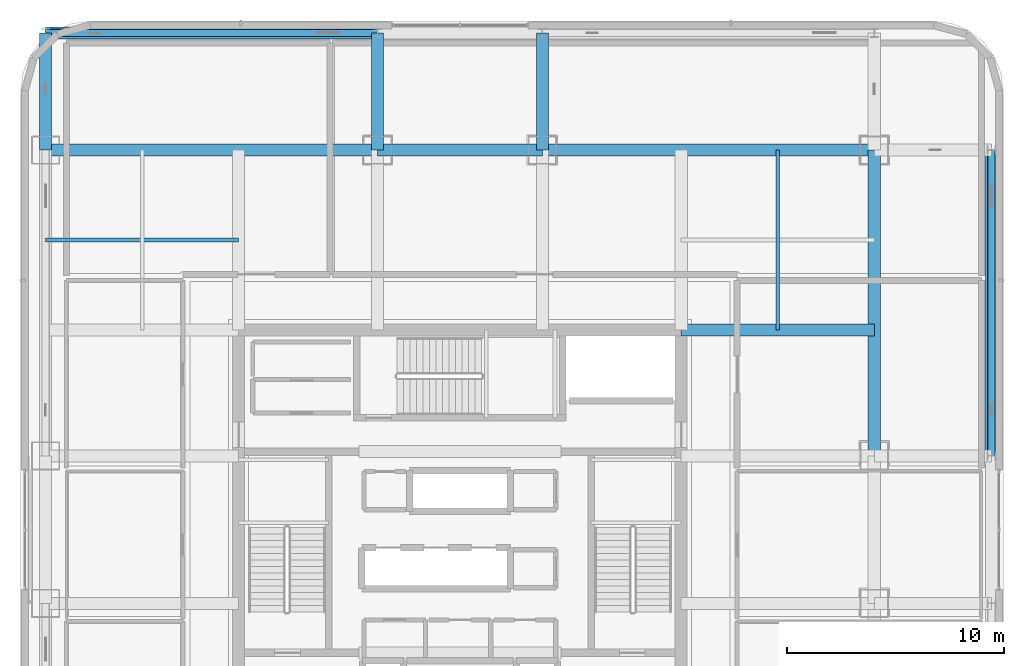
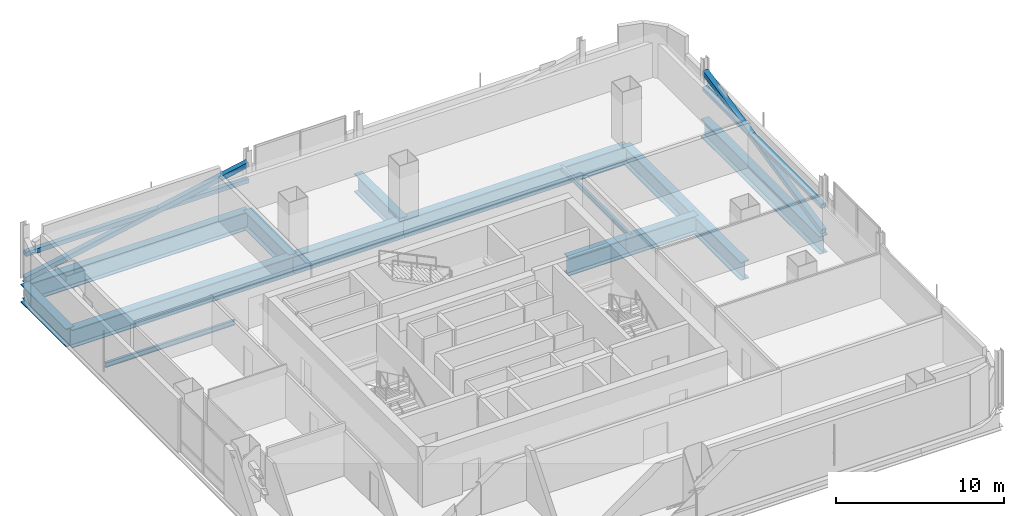
# One storey, part 10 of 30: 12 beams, 4 members.
"""IFC4 building model written with IfcOpenShell, lengths in metres."""

from ifc_helpers import new_model, si_unit, direction, frame, origin, origin_2d, place, context, subcontext, project, spatial, hollow_rectangle, i_section, extrude, material, material_profile, profile_set, type_object, element, save


model = new_model("IFC4")

# Units and contexts
model_context = context("Model", 3, precision=1e-05, world=origin(), true_north=direction((0.0, 1.0)))
body_context = subcontext(model_context, "Body", "Model", "MODEL_VIEW")
ifc_project = project(units=[si_unit("LENGTHUNIT", "METRE"), si_unit("AREAUNIT", "SQUARE_METRE"), si_unit("VOLUMEUNIT", "CUBIC_METRE"), si_unit("PLANEANGLEUNIT", "RADIAN"), si_unit("MASSUNIT", "GRAM", prefix="KILO")], contexts=[model_context])

# Site, building, storey
site_placement = place(None, origin())
site = spatial("IfcSite", under=ifc_project, at=site_placement, CompositionType="ELEMENT")
building_placement = place(site_placement, origin())
building = spatial("IfcBuilding", under=site, at=building_placement, Name="Punatoya Terracotta Tower", CompositionType="ELEMENT")
storey_placement = place(building_placement, frame((0.0, 0.0, 251.39990234375)))
storey = spatial("IfcBuildingStorey", under=building, at=storey_placement, Name="L59", CompositionType="ELEMENT", Elevation=251.39990234375)

# Beams
ifc_material_1 = material(Name="Steel S355", Category="steel")
ifc_material_profile_1 = material_profile(ifc_material_1, i_section(OverallWidth=0.169921875, OverallDepth=0.360107421875, WebThickness=0.008056640625, FlangeThickness=0.0126953125, FilletRadius=0.01806640625, at=origin_2d()))
ifc_profile_set_1 = profile_set([ifc_material_profile_1], Name="Steel S355")
beam_type_1 = type_object("IfcBeamType", Name="BM-SEC-360", PredefinedType="JOIST", material=ifc_profile_set_1)
beam_1_placement = place(storey_placement, frame((-19.10009765625, 13.35009765625, -0.4599609375), z_axis=(1.0, 0.0, 0.0), x_axis=(0.0, 1.0, 0.0)))
element("IfcBeam", 1, at=beam_1_placement, inside=storey, type_object=beam_type_1, Name="BM-L59-SJN-1", PredefinedType="JOIST", context=body_context, shape_type="SweptSolid", body=[
    extrude(i_section(OverallWidth=0.169921875, OverallDepth=0.360107421875, WebThickness=0.008056640625, FlangeThickness=0.0126953125, FilletRadius=0.01806640625, at=origin_2d()), origin(), (0.0, 0.0, 1.0), 8.900146484375),
])
beam_2_placement = place(storey_placement, frame((14.64990234375, 9.199951171875, -0.4599609375), z_axis=(0.0, 1.0, 0.0), x_axis=(-1.0, 0.0, 0.0)))
element("IfcBeam", 2, at=beam_2_placement, inside=storey, type_object=beam_type_1, Name="BM-L59-SJE-2", PredefinedType="JOIST", context=body_context, shape_type="SweptSolid", body=[
    extrude(i_section(OverallWidth=0.169921875, OverallDepth=0.360107421875, WebThickness=0.008056640625, FlangeThickness=0.0126953125, FilletRadius=0.01806640625, at=origin_2d()), origin(), (0.0, 0.0, 1.0), 8.300048828125),
])
ifc_material_2 = material(Name="Steel S460", Category="steel")
ifc_material_profile_2 = material_profile(ifc_material_2, i_section(OverallWidth=0.56005859375, OverallDepth=1.320068359375, WebThickness=0.035888671875, FlangeThickness=0.054931640625, FilletRadius=0.01806640625, at=origin_2d()))
ifc_profile_set_2 = profile_set([ifc_material_profile_2], Name="Steel S460")
beam_type_2 = type_object("IfcBeamType", Name="BM-TG-BLK", PredefinedType="BEAM", material=ifc_profile_set_2)
beam_3_placement = place(storey_placement, frame((-19.10009765625, 17.5, -0.93994140625), z_axis=(1.0, 0.0, 0.0), x_axis=(0.0, 1.0, 0.0)))
element("IfcBeam", 3, at=beam_3_placement, inside=storey, type_object=beam_type_2, Name="BM-L59-RG-N1", PredefinedType="BEAM", context=body_context, shape_type="SweptSolid", body=[
    extrude(i_section(OverallWidth=0.56005859375, OverallDepth=1.320068359375, WebThickness=0.035888671875, FlangeThickness=0.054931640625, FilletRadius=0.01806640625, at=origin_2d()), origin(), (0.0, 0.0, 1.0), 15.300048828125),
])
beam_4_placement = place(storey_placement, frame((-3.800048828125, 17.5, -0.93994140625), z_axis=(1.0, 0.0, 0.0), x_axis=(0.0, 1.0, 0.0)))
element("IfcBeam", 4, at=beam_4_placement, inside=storey, type_object=beam_type_2, Name="BM-L59-RG-N2", PredefinedType="BEAM", context=body_context, shape_type="SweptSolid", body=[
    extrude(i_section(OverallWidth=0.56005859375, OverallDepth=1.320068359375, WebThickness=0.035888671875, FlangeThickness=0.054931640625, FilletRadius=0.01806640625, at=origin_2d()), origin(), (0.0, 0.0, 1.0), 7.60009765625),
])
beam_5_placement = place(storey_placement, frame((3.800048828125, 17.5, -0.93994140625), z_axis=(1.0, 0.0, 0.0), x_axis=(0.0, 1.0, 0.0)))
element("IfcBeam", 5, at=beam_5_placement, inside=storey, type_object=beam_type_2, Name="BM-L59-RG-N3", PredefinedType="BEAM", context=body_context, shape_type="SweptSolid", body=[
    extrude(i_section(OverallWidth=0.56005859375, OverallDepth=1.320068359375, WebThickness=0.035888671875, FlangeThickness=0.054931640625, FilletRadius=0.01806640625, at=origin_2d()), origin(), (0.0, 0.0, 1.0), 15.300048828125),
])
beam_6_placement = place(storey_placement, frame((19.10009765625, 3.39990234375, -0.93994140625), z_axis=(0.0, 1.0, 0.0), x_axis=(-1.0, 0.0, 0.0)))
element("IfcBeam", 6, at=beam_6_placement, inside=storey, type_object=beam_type_2, Name="BM-L59-RG-E3", PredefinedType="BEAM", context=body_context, shape_type="SweptSolid", body=[
    extrude(i_section(OverallWidth=0.56005859375, OverallDepth=1.320068359375, WebThickness=0.035888671875, FlangeThickness=0.054931640625, FilletRadius=0.01806640625, at=origin_2d()), origin(), (0.0, 0.0, 1.0), 14.10009765625),
])
beam_7_placement = place(storey_placement, frame((10.199951171875, 9.199951171875, -0.93994140625), z_axis=(1.0, 0.0, 0.0), x_axis=(0.0, 1.0, 0.0)))
element("IfcBeam", 7, at=beam_7_placement, inside=storey, type_object=beam_type_2, Name="BM-L59-PR-EN", PredefinedType="BEAM", context=body_context, shape_type="SweptSolid", body=[
    extrude(i_section(OverallWidth=0.56005859375, OverallDepth=1.320068359375, WebThickness=0.035888671875, FlangeThickness=0.054931640625, FilletRadius=0.01806640625, at=origin_2d()), origin(), (0.0, 0.0, 1.0), 8.900146484375),
])
for number, where, z_axis, x_axis, name in (
    (8, (-19.10009765625, 17.5, -0.93994140625), (0.0, 1.0, 0.0), (-1.0, 0.0, 0.0), "BM-L59-CANT-N1"),
    (9, (-3.800048828125, 17.5, -0.93994140625), (0.0, 1.0, 0.0), (-1.0, 0.0, 0.0), "BM-L59-CANT-N2"),
    (10, (3.800048828125, 17.5, -0.93994140625), (0.0, 1.0, 0.0), (-1.0, 0.0, 0.0), "BM-L59-CANT-N3"),
):
    element("IfcBeam", number, at=place(storey_placement, frame(where, z_axis=z_axis, x_axis=x_axis)), inside=storey, type_object=beam_type_2, Name=name, PredefinedType="BEAM", context=body_context, shape_type="SweptSolid", body=[
        extrude(i_section(OverallWidth=0.56005859375, OverallDepth=1.320068359375, WebThickness=0.035888671875, FlangeThickness=0.054931640625, FilletRadius=0.01806640625, at=origin_2d()), origin(), (0.0, 0.0, 1.0), 5.39990234375),
    ])
beam_8_placement = place(storey_placement, frame((-19.10009765625, 22.89990234375, -0.93994140625), z_axis=(1.0, 0.0, 0.0), x_axis=(0.0, 1.0, 0.0)))
element("IfcBeam", 11, at=beam_8_placement, inside=storey, type_object=beam_type_2, Name="BM-L59-PER-N1", PredefinedType="BEAM", context=body_context, shape_type="SweptSolid", body=[
    extrude(i_section(OverallWidth=0.56005859375, OverallDepth=1.320068359375, WebThickness=0.035888671875, FlangeThickness=0.054931640625, FilletRadius=0.01806640625, at=origin_2d()), origin(), (0.0, 0.0, 1.0), 15.300048828125),
])
beam_9_placement = place(storey_placement, frame((24.5, 3.39990234375, -0.93994140625), z_axis=(0.0, 1.0, 0.0), x_axis=(-1.0, 0.0, 0.0)))
element("IfcBeam", 12, at=beam_9_placement, inside=storey, type_object=beam_type_2, Name="BM-L59-PER-E3", PredefinedType="BEAM", context=body_context, shape_type="SweptSolid", body=[
    extrude(i_section(OverallWidth=0.56005859375, OverallDepth=1.320068359375, WebThickness=0.035888671875, FlangeThickness=0.054931640625, FilletRadius=0.01806640625, at=origin_2d()), origin(), (0.0, 0.0, 1.0), 14.10009765625),
])

# Members
ifc_material_profile_3 = material_profile(ifc_material_2, hollow_rectangle(XDim=0.320068359375, YDim=0.320068359375, WallThickness=0.01806640625, at=origin_2d()))
ifc_profile_set_3 = profile_set([ifc_material_profile_3], Name="Steel S460")
member_type_1 = type_object("IfcMemberType", Name="MEM-CHD-320", PredefinedType="CHORD", material=ifc_profile_set_3)
member_1_placement = place(storey_placement, frame((-19.10009765625, 22.89990234375, 1.85009765625), z_axis=(1.0, 0.0, 0.0), x_axis=(0.0, 1.0, 0.0)))
element("IfcMember", 13, at=member_1_placement, inside=storey, type_object=member_type_1, Name="L59 Exoskeleton Belt Truss Tie Chord N1", PredefinedType="CHORD", context=body_context, shape_type="SweptSolid", body=[
    extrude(hollow_rectangle(XDim=0.320068359375, YDim=0.320068359375, WallThickness=0.01806640625, at=origin_2d()), origin(), (0.0, 0.0, 1.0), 15.300048828125),
])
member_2_placement = place(storey_placement, frame((24.5, 3.39990234375, 1.85009765625), z_axis=(0.0, 1.0, 0.0), x_axis=(-1.0, 0.0, 0.0)))
element("IfcMember", 14, at=member_2_placement, inside=storey, type_object=member_type_1, Name="L59 Exoskeleton Belt Truss Tie Chord E3", PredefinedType="CHORD", context=body_context, shape_type="SweptSolid", body=[
    extrude(hollow_rectangle(XDim=0.320068359375, YDim=0.320068359375, WallThickness=0.01806640625, at=origin_2d()), origin(), (0.0, 0.0, 1.0), 14.10009765625),
])
ifc_material_profile_4 = material_profile(ifc_material_2, hollow_rectangle(XDim=0.35009765625, YDim=0.35009765625, WallThickness=0.01806640625, at=origin_2d()))
ifc_profile_set_4 = profile_set([ifc_material_profile_4], Name="Steel S460")
member_type_2 = type_object("IfcMemberType", Name="MEM-EXO-350", PredefinedType="BRACE", material=ifc_profile_set_4)
member_3_placement = place(storey_placement, frame((-19.10009765625, 22.89990234375, 0.02001953125), z_axis=(0.980948581988, 0.0, 0.194267546172), x_axis=(0.0, 1.0, 0.0)))
element("IfcMember", 15, at=member_3_placement, inside=storey, type_object=member_type_2, Name="L59 Exoskeleton Belt Brace N1", PredefinedType="BRACE", context=body_context, shape_type="SweptSolid", body=[
    extrude(hollow_rectangle(XDim=0.35009765625, YDim=0.35009765625, WallThickness=0.01806640625, at=origin_2d()), origin(), (0.0, 0.0, 1.0), 15.59716796875),
])
member_4_placement = place(storey_placement, frame((24.5, 3.39990234375, 0.02001953125), z_axis=(0.0, 0.977680364468, 0.210097846096), x_axis=(-1.0, 0.0, 0.0)))
element("IfcMember", 16, at=member_4_placement, inside=storey, type_object=member_type_2, Name="L59 Exoskeleton Belt Brace E3", PredefinedType="BRACE", context=body_context, shape_type="SweptSolid", body=[
    extrude(hollow_rectangle(XDim=0.35009765625, YDim=0.35009765625, WallThickness=0.01806640625, at=origin_2d()), origin(), (0.0, 0.0, 1.0), 14.421875),
])

save(model, "model.ifc")
